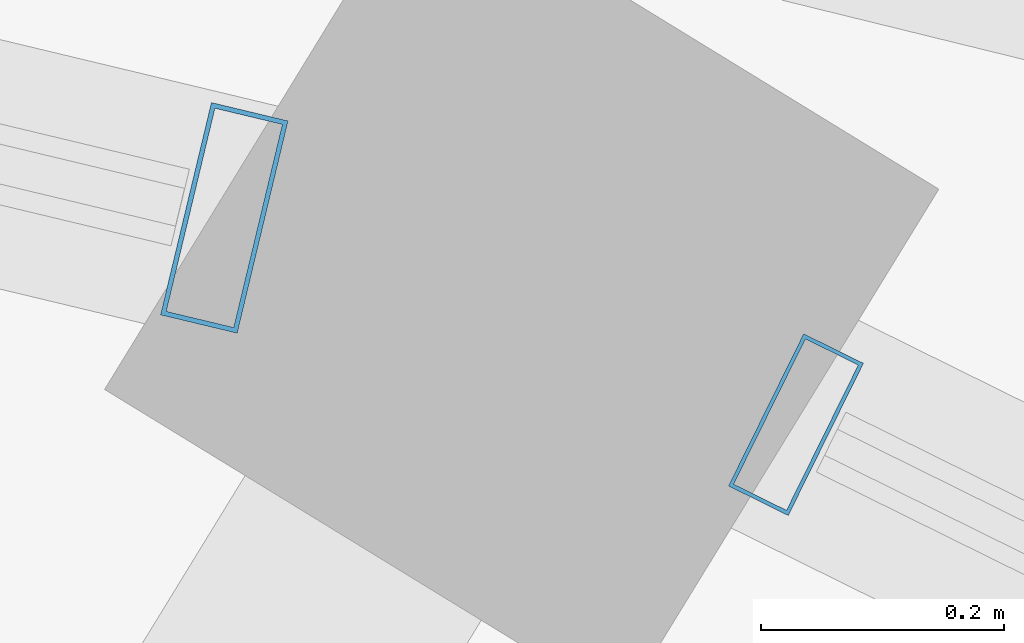
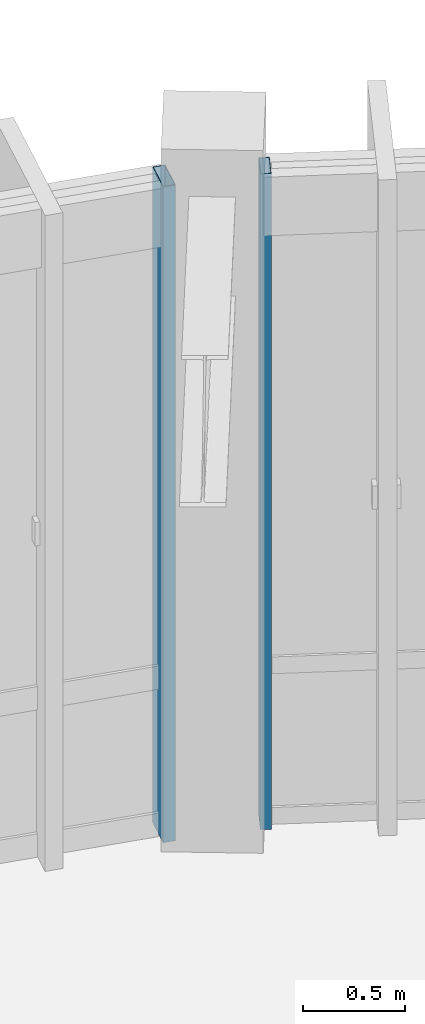
# One storey, part 59 of 78: 2 members, 2 elements without a shape of their own.
"""IFC4 building model written with IfcOpenShell, lengths in metres."""

import ifcopenshell
import ifcopenshell.guid

model = None  # the IFC model being written
_history = None  # IfcOwnerHistory: only IFC2X3 demands one
_inside = {}  # id of a spatial element -> (the spatial element, [elements in it])
_under = {}  # id of a project, library or spatial element -> (it, [spatial elements below it])
_declared = {}  # id of a project -> (the project, [libraries it declares])
_typed = {}  # id of a type object -> (the type object, [elements of that type])
_made_of = {}  # id of a material, layer set ... -> (it, [elements and type objects made of it])


def new_model(schema):
    """Start an empty IFC model of exactly this schema.

    Asked for "IFC4X3", IfcOpenShell would pick the latest addendum, in which some entities
    have other attributes; the version numbers below select the first issue.
    IFC2X3 requires an IfcOwnerHistory on every rooted entity: one is made here for all.
    """
    global model, _history
    if schema == "IFC4X3":
        model = ifcopenshell.file(schema_version=(4, 3, 0, 0))
    else:
        model = ifcopenshell.file(schema=schema)
    _inside.clear()
    _under.clear()
    _declared.clear()
    _typed.clear()
    _made_of.clear()
    _history = None
    if model.schema == "IFC2X3":
        org = make("IfcOrganization", Name="unknown")
        user = make(
            "IfcPersonAndOrganization",
            ThePerson=make("IfcPerson", FamilyName="unknown"),
            TheOrganization=org,
        )
        app = make(
            "IfcApplication",
            ApplicationDeveloper=org,
            Version="unknown",
            ApplicationFullName="unknown",
            ApplicationIdentifier="unknown",
        )
        _history = make(
            "IfcOwnerHistory",
            OwningUser=user,
            OwningApplication=app,
            ChangeAction="ADDED",
            CreationDate=0,
        )
    return model


def make(cls, **values):
    """One entity of the class cls with the attributes given. An attribute that is None is left unset."""
    return model.create_entity(
        cls, **{name: value for name, value in values.items() if value is not None}
    )


def rooted(cls, **values):
    """An entity with a GlobalId (a new one), such as an element, a storey or a relation."""
    return make(cls, GlobalId=ifcopenshell.guid.new(), OwnerHistory=_history, **values)


def si_unit(unit_type, name, prefix=None):
    """IfcSIUnit, for example si_unit("LENGTHUNIT", "METRE", prefix="MILLI")."""
    return make("IfcSIUnit", UnitType=unit_type, Prefix=prefix, Name=name)


def assignment(units):
    """IfcUnitAssignment: the units of a project."""
    return None if units is None else make("IfcUnitAssignment", Units=units)


def point(xyz):
    """IfcCartesianPoint."""
    return None if xyz is None else make("IfcCartesianPoint", Coordinates=xyz)


def direction(xyz):
    """IfcDirection."""
    return None if xyz is None else make("IfcDirection", DirectionRatios=xyz)


def frame(location, z_axis=None, x_axis=None):
    """IfcAxis2Placement3D, a coordinate frame: its origin and axes. An axis left out is left unset."""
    return make(
        "IfcAxis2Placement3D",
        Location=point(location),
        Axis=direction(z_axis),
        RefDirection=direction(x_axis),
    )


def frame_2d(location, x_axis=None):
    """IfcAxis2Placement2D, a coordinate frame in the plane: its origin and x axis."""
    return make(
        "IfcAxis2Placement2D", Location=point(location), RefDirection=direction(x_axis)
    )


def origin():
    """The frame at (0, 0, 0) with its axes left unset."""
    return frame((0.0, 0.0, 0.0))


def origin_2d():
    """The frame at (0, 0) in the plane with its x axis left unset."""
    return frame_2d((0.0, 0.0))


def place(relative_to, where):
    """IfcLocalPlacement: puts the frame where relative to a parent placement (None: the world)."""
    return make(
        "IfcLocalPlacement", PlacementRelTo=relative_to, RelativePlacement=where
    )


def context(
    kind, dimensions, precision=None, world=None, true_north=None, identifier=None
):
    """IfcGeometricRepresentationContext, for example the 3D "Model" context."""
    return make(
        "IfcGeometricRepresentationContext",
        ContextIdentifier=identifier,
        ContextType=kind,
        CoordinateSpaceDimension=dimensions,
        Precision=precision,
        WorldCoordinateSystem=world,
        TrueNorth=true_north,
    )


def subcontext(parent, identifier, kind, view, scale=None):
    """IfcGeometricRepresentationSubContext, for example "Body" below "Model"."""
    return make(
        "IfcGeometricRepresentationSubContext",
        ContextIdentifier=identifier,
        ContextType=kind,
        ParentContext=parent,
        TargetScale=scale,
        TargetView=view,
    )


def project(units=None, contexts=None):
    """IfcProject with its units and contexts."""
    return rooted(
        "IfcProject",
        Name="project",
        RepresentationContexts=contexts,
        UnitsInContext=assignment(units),
    )


def spatial(cls, under=None, at=None, **own):
    """A site, building, storey or space (cls), placed at a placement, below another one or the project."""
    s = rooted(cls, ObjectPlacement=at, **own)
    if under is not None:
        _under.setdefault(under.id(), (under, []))[1].append(s)
    return s


def profile(cls, at=None, kind="AREA", **sizes):
    """A parametric profile (cls). Its sizes go by their IFC names, for example OverallWidth=200.0."""
    return make(cls, ProfileType=kind, Position=at, **sizes)


def hollow_rectangle(**sizes):
    """IfcRectangleHollowProfileDef."""
    return profile("IfcRectangleHollowProfileDef", **sizes)


def extrude(swept, where, along, depth):
    """IfcExtrudedAreaSolid: the profile swept, set in the frame where, extruded along a direction by depth."""
    return make(
        "IfcExtrudedAreaSolid",
        SweptArea=swept,
        Position=where,
        ExtrudedDirection=direction(along),
        Depth=depth,
    )


def shape(context_of_items, identifier, shape_type, items):
    """IfcShapeRepresentation: the items that make up one representation, for example the "Body"."""
    return make(
        "IfcShapeRepresentation",
        ContextOfItems=context_of_items,
        RepresentationIdentifier=identifier,
        RepresentationType=shape_type,
        Items=items,
    )


def material(Name=None, Category=None):
    """IfcMaterial."""
    return make("IfcMaterial", Name=Name, Category=Category)


def material_profile(
    of_material, cross_section, Name=None, Category=None, Priority=None
):
    """IfcMaterialProfile: a cross section and its material."""
    return make(
        "IfcMaterialProfile",
        Name=Name,
        Material=of_material,
        Profile=cross_section,
        Priority=Priority,
        Category=Category,
    )


def profile_set(profiles, Name=None, composite=None):
    """IfcMaterialProfileSet."""
    return make(
        "IfcMaterialProfileSet",
        Name=Name,
        MaterialProfiles=profiles,
        CompositeProfile=composite,
    )


def made_of(thing, what):
    """Note that an element or type object is made of a material, layer set ...; save() writes the relation."""
    if what is not None:
        _made_of.setdefault(what.id(), (what, []))[1].append(thing)
    return thing


def type_object(cls, material=None, **own):
    """A type object (cls), such as IfcWallType, which elements share."""
    return made_of(rooted(cls, **own), material)


def element(
    cls,
    number,
    at=None,
    inside=None,
    cuts=None,
    type_object=None,
    material=None,
    context=None,
    identifier="Body",
    shape_type=None,
    held_by="IfcProductDefinitionShape",
    body=None,
    shapes=None,
    **own,
):
    """One element of the class cls, such as IfcWall. Its Tag is "e" and its number.

    at: its placement. inside: the storey or other place that contains it. cuts: it is an
    opening in that element (IfcRelVoidsElement). A single representation is given by context,
    identifier, shape_type and body (its items); several are given by shapes. held_by: the class
    of the entity that holds the representations. save() writes the other relations.
    """
    e = rooted(cls, Tag="e%d" % number, ObjectPlacement=at, **own)
    if body is not None:
        shapes = [shape(context, identifier, shape_type, body)]
    if shapes is not None:
        e.Representation = make(held_by, Representations=shapes)
    if inside is not None:
        _inside.setdefault(inside.id(), (inside, []))[1].append(e)
    if cuts is not None:
        rooted(
            "IfcRelVoidsElement", RelatingBuildingElement=cuts, RelatedOpeningElement=e
        )
    if type_object is not None:
        _typed.setdefault(type_object.id(), (type_object, []))[1].append(e)
    return made_of(e, material)


def aggregate(whole, parts):
    """IfcRelAggregates: a whole, such as a stair, and the parts it consists of."""
    return rooted("IfcRelAggregates", RelatingObject=whole, RelatedObjects=parts)


def save(model, path):
    """Write the relations noted so far, then the file.

    IfcRelAggregates (storeys below a building ...), IfcRelContainedInSpatialStructure (elements
    in a storey), IfcRelDefinesByType, IfcRelAssociatesMaterial and IfcRelDeclares: one each for
    every whole, place, type object, material and project.
    """
    for whole, parts in _under.values():
        aggregate(whole, parts)
    for where, things in _inside.values():
        rooted(
            "IfcRelContainedInSpatialStructure",
            RelatedElements=things,
            RelatingStructure=where,
        )
    for kind, things in _typed.values():
        rooted("IfcRelDefinesByType", RelatedObjects=things, RelatingType=kind)
    for what, things in _made_of.values():
        rooted("IfcRelAssociatesMaterial", RelatedObjects=things, RelatingMaterial=what)
    for by, libraries in _declared.values():
        rooted("IfcRelDeclares", RelatingContext=by, RelatedDefinitions=libraries)
    model.write(path)


model = new_model("IFC4")

# Units and contexts
model_context = context("Model", 3, precision=1e-05, world=origin(), true_north=direction((0.0, 1.0)))
body_context = subcontext(model_context, "Body", "Model", "MODEL_VIEW")
ifc_project = project(units=[si_unit("LENGTHUNIT", "METRE"), si_unit("AREAUNIT", "SQUARE_METRE"), si_unit("VOLUMEUNIT", "CUBIC_METRE"), si_unit("PLANEANGLEUNIT", "RADIAN"), si_unit("MASSUNIT", "GRAM", prefix="KILO"), si_unit("THERMODYNAMICTEMPERATUREUNIT", "KELVIN"), si_unit("POWERUNIT", "WATT")], contexts=[model_context])

# Site, building, storey
site_placement = place(None, origin())
site = spatial("IfcSite", under=ifc_project, at=site_placement, CompositionType="ELEMENT")
building_placement = place(site_placement, origin())
building = spatial("IfcBuilding", under=site, at=building_placement, Name="Darbajah Civic Hall", CompositionType="ELEMENT")
storey_placement = place(building_placement, frame((0.0, 0.0, 26.39990234375)))
storey = spatial("IfcBuildingStorey", under=building, at=storey_placement, Name="L06", CompositionType="ELEMENT", Elevation=26.39990234375)

# Curtain wall, member
ifc_material_1 = material(Name="Anodised Bronze Aluminium and Low-E Glazing", Category="aluminium")
curtain_wall_type_1 = type_object("IfcCurtainWallType", Name="Unitised Curtain Wall CW-79 13000x3900", PredefinedType="USERDEFINED", material=ifc_material_1)
curtain_wall_1_placement = place(storey_placement, origin())
curtain_wall_1 = element("IfcCurtainWall", 1, at=curtain_wall_1_placement, inside=storey, type_object=curtain_wall_type_1, Name="L06 unitised curtain wall CW-V1O-L06-02", ObjectType="UNITISED CURTAIN WALL", PredefinedType="USERDEFINED")
ifc_material_2 = material(Name="Anodised Bronze Aluminium", Category="aluminium")
ifc_material_profile_1 = material_profile(ifc_material_2, hollow_rectangle(XDim=0.054931640625, YDim=0.139892578125, WallThickness=0.003173828125, at=origin_2d()), Name="ALU MULLION 55x140")
ifc_profile_set_1 = profile_set([ifc_material_profile_1], Name="Anodised Bronze Aluminium")
member_type_1 = type_object("IfcMemberType", Name="ALU MULLION 55x140", PredefinedType="MULLION", material=ifc_profile_set_1)
member_1_placement = place(storey_placement, frame((115.973388671875, 114.84130859375, 0.0), z_axis=(0.0, 0.0, 1.0), x_axis=(-0.89656374724, 0.442914717678, 0.0)))
member_1 = element("IfcMember", 2, at=member_1_placement, type_object=member_type_1, Name="CW-V1O-L06-02 mullion 5", PredefinedType="MULLION", context=body_context, shape_type="SweptSolid", body=[
    extrude(hollow_rectangle(XDim=0.054931640625, YDim=0.139892578125, WallThickness=0.003173828125, at=origin_2d()), origin(), (0.0, 0.0, 1.0), 3.920166015625),
])
aggregate(curtain_wall_1, [member_1])

curtain_wall_type_2 = type_object("IfcCurtainWallType", Name="Unitised Curtain Wall CW-87 14700x3900", PredefinedType="USERDEFINED", material=ifc_material_1)
curtain_wall_2_placement = place(storey_placement, origin())
curtain_wall_2 = element("IfcCurtainWall", 3, at=curtain_wall_2_placement, inside=storey, type_object=curtain_wall_type_2, Name="L06 unitised curtain wall CW-V1O-L06-03", ObjectType="UNITISED CURTAIN WALL", PredefinedType="USERDEFINED")
ifc_material_profile_2 = material_profile(ifc_material_2, hollow_rectangle(XDim=0.06494140625, YDim=0.179931640625, WallThickness=0.00390625, at=origin_2d()), Name="ALU MULLION 65x180")
ifc_profile_set_2 = profile_set([ifc_material_profile_2], Name="Anodised Bronze Aluminium")
member_type_2 = type_object("IfcMemberType", Name="ALU MULLION 65x180", PredefinedType="MULLION", material=ifc_profile_set_2)
member_2_placement = place(storey_placement, frame((115.502197265625, 115.01171875, 0.0), z_axis=(0.0, 0.0, 1.0), x_axis=(-0.972492018808, 0.232936200179, 0.0)))
member_2 = element("IfcMember", 4, at=member_2_placement, type_object=member_type_2, Name="CW-V1O-L06-03 mullion 1", PredefinedType="MULLION", context=body_context, shape_type="SweptSolid", body=[
    extrude(hollow_rectangle(XDim=0.06494140625, YDim=0.179931640625, WallThickness=0.00390625, at=origin_2d()), origin(), (0.0, 0.0, 1.0), 3.920166015625),
])
aggregate(curtain_wall_2, [member_2])

save(model, "model.ifc")
